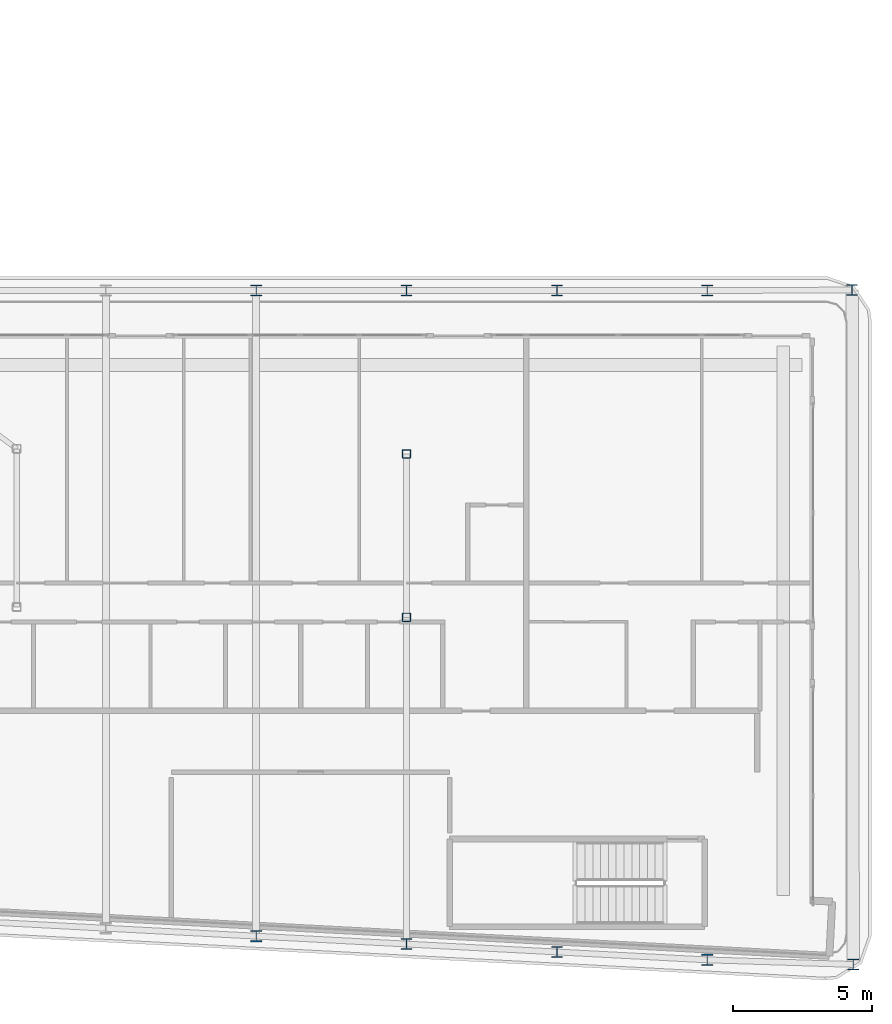
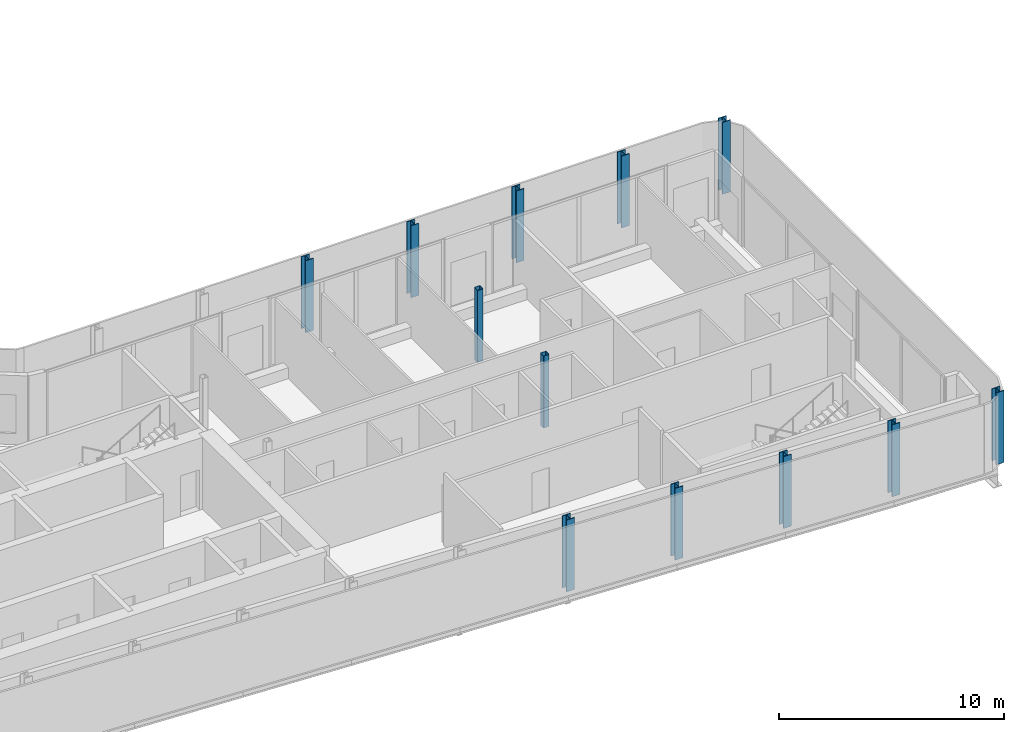
# One storey, part 2 of 21: 12 columns.
"""IFC4 building model written with IfcOpenShell, lengths in metres."""

from ifc_helpers import new_model, si_unit, direction, frame, origin, origin_2d, place, context, subcontext, project, spatial, hollow_rectangle, i_section, extrude, material, material_profile, profile_set, type_object, element, save


model = new_model("IFC4")

# Units and contexts
model_context = context("Model", 3, precision=1e-05, world=origin(), true_north=direction((0.0, 1.0)))
body_context = subcontext(model_context, "Body", "Model", "MODEL_VIEW")
ifc_project = project(units=[si_unit("LENGTHUNIT", "METRE"), si_unit("AREAUNIT", "SQUARE_METRE"), si_unit("VOLUMEUNIT", "CUBIC_METRE"), si_unit("PLANEANGLEUNIT", "RADIAN"), si_unit("MASSUNIT", "GRAM", prefix="KILO")], contexts=[model_context])

# Site, building, storey
site_placement = place(None, origin())
site = spatial("IfcSite", under=ifc_project, at=site_placement, CompositionType="ELEMENT")
building_placement = place(site_placement, origin())
building = spatial("IfcBuilding", under=site, at=building_placement, Name="Kheshtan School and Residences Tower", CompositionType="ELEMENT")
storey_placement = place(building_placement, frame((0.0, 0.0, 227.89990234375)))
storey = spatial("IfcBuildingStorey", under=building, at=storey_placement, Name="L53", CompositionType="ELEMENT", Elevation=227.89990234375)

# Columns
ifc_material_1 = material(Name="Steel ASTM A992 Grade 50", Category="steel")
ifc_material_profile_1 = material_profile(ifc_material_1, i_section(OverallWidth=0.404052734375, OverallDepth=0.406982421875, WebThickness=0.027099609375, FlangeThickness=0.043701171875, FilletRadius=0.01220703125, at=origin_2d()), Name="W360x347")
ifc_profile_set_1 = profile_set([ifc_material_profile_1], Name="Steel ASTM A992 Grade 50")
column_type_1 = type_object("IfcColumnType", Name="Column C4 W360x347 ASTM A992 Grade 50", PredefinedType="COLUMN", material=ifc_profile_set_1)
for number, where, z_axis, x_axis, name in (
    (1, (85.240966796875, 21.39501953125, 0.0), (0.0, 0.0, 1.0), (1.0, 0.0, 0.0), "Column C010"),
    (2, (80.0, 21.55810546875, 0.0), (0.0, 0.0, 1.0), (1.0, 0.0, 0.0), "Column C012"),
    (3, (74.60009765625, 21.843017578125, 0.0), (0.0, 0.0, 1.0), (1.0, 0.0, 0.0), "Column C013"),
    (4, (69.199951171875, 22.126953125, 0.0), (0.0, 0.0, 1.0), (1.0, 0.0, 0.0), "Column C014"),
    (5, (63.800048828125, 22.410888671875, 0.0), (0.0, 0.0, 1.0), (1.0, 0.0, 0.0), "Column C016"),
    (6, (63.800048828125, 45.60009765625, 0.0), (0.0, 0.0, 1.0), (1.0, 0.0, 0.0), "Column C063"),
    (7, (69.199951171875, 45.60009765625, 0.0), (0.0, 0.0, 1.0), (1.0, 0.0, 0.0), "Column C064"),
    (8, (74.60009765625, 45.60009765625, 0.0), (0.0, 0.0, 1.0), (1.0, 0.0, 0.0), "Column C065"),
    (9, (80.0, 45.60009765625, 0.0), (0.0, 0.0, 1.0), (1.0, 0.0, 0.0), "Column C066"),
    (10, (85.200927734375, 45.616943359375, 0.0), (0.0, 0.0, 1.0), (1.0, 0.0, 0.0), "Column C074"),
):
    element("IfcColumn", number, at=place(storey_placement, frame(where, z_axis=z_axis, x_axis=x_axis)), inside=storey, type_object=column_type_1, Name=name, PredefinedType="COLUMN", context=body_context, shape_type="SweptSolid", body=[
        extrude(i_section(OverallWidth=0.404052734375, OverallDepth=0.406982421875, WebThickness=0.027099609375, FlangeThickness=0.043701171875, FilletRadius=0.01220703125, at=origin_2d()), origin(), (0.0, 0.0, 1.0), 3.900146484375),
    ])
ifc_material_2 = material(Name="Steel ASTM A500 Grade C", Category="steel")
ifc_material_profile_2 = material_profile(ifc_material_2, hollow_rectangle(XDim=0.304931640625, YDim=0.304931640625, WallThickness=0.015869140625, InnerFilletRadius=0.015869140625, OuterFilletRadius=0.03173828125, at=origin_2d()), Name="HSS 305x305x15.9")
ifc_profile_set_2 = profile_set([ifc_material_profile_2], Name="Steel ASTM A500 Grade C")
column_type_2 = type_object("IfcColumnType", Name="Column IC2 HSS 305x305x15.9 ASTM A500 Grade C", PredefinedType="COLUMN", material=ifc_profile_set_2)
for number, where, z_axis, x_axis, name in (
    (11, (69.199951171875, 33.863037109375, 0.0), (0.0, 0.0, 1.0), (1.0, 0.0, 0.0), "Column C050"),
    (12, (69.199951171875, 39.73193359375, 0.0), (0.0, 0.0, 1.0), (1.0, 0.0, 0.0), "Column C054"),
):
    element("IfcColumn", number, at=place(storey_placement, frame(where, z_axis=z_axis, x_axis=x_axis)), inside=storey, type_object=column_type_2, Name=name, PredefinedType="COLUMN", context=body_context, shape_type="SweptSolid", body=[
        extrude(hollow_rectangle(XDim=0.304931640625, YDim=0.304931640625, WallThickness=0.015869140625, InnerFilletRadius=0.015869140625, OuterFilletRadius=0.03173828125, at=origin_2d()), origin(), (0.0, 0.0, 1.0), 3.900146484375),
    ])

save(model, "model.ifc")
